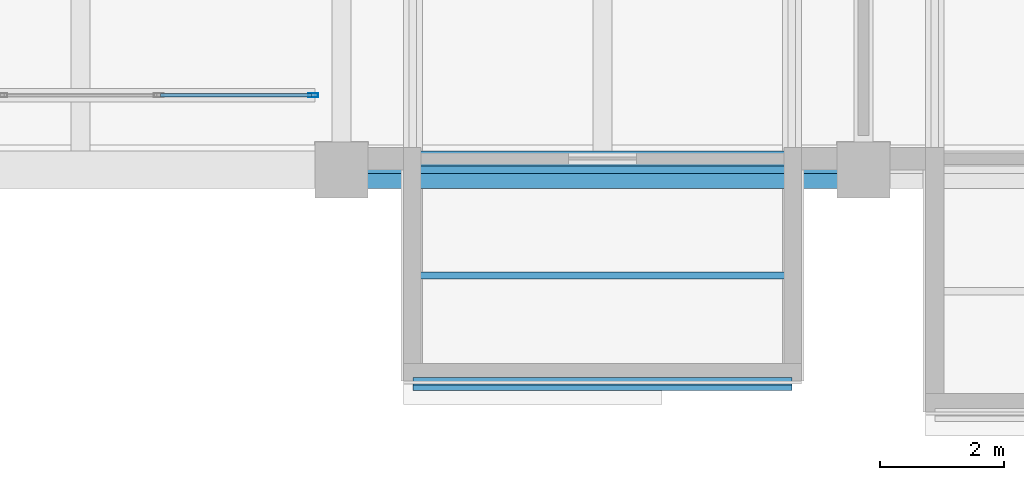
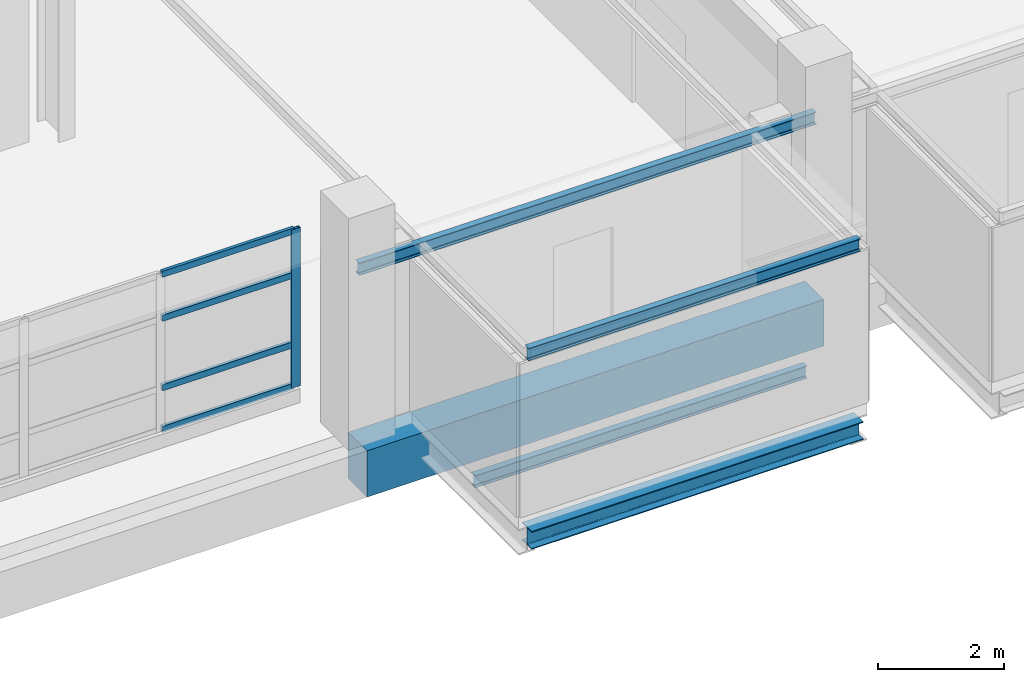
# One storey, part 19 of 113: 5 beams, 5 members, 1 element without a shape of its own.
"""IFC4 building model written with IfcOpenShell, lengths in metres."""

from ifc_helpers import new_model, si_unit, direction, frame, origin, origin_2d, place, context, subcontext, project, spatial, rectangle, hollow_rectangle, i_section, extrude, material, material_profile, profile_set, type_object, element, aggregate, save


model = new_model("IFC4")

# Units and contexts
model_context = context("Model", 3, precision=1e-05, world=origin(), true_north=direction((0.0, 1.0)))
body_context = subcontext(model_context, "Body", "Model", "MODEL_VIEW")
ifc_project = project(units=[si_unit("LENGTHUNIT", "METRE"), si_unit("AREAUNIT", "SQUARE_METRE"), si_unit("VOLUMEUNIT", "CUBIC_METRE"), si_unit("PLANEANGLEUNIT", "RADIAN"), si_unit("MASSUNIT", "GRAM", prefix="KILO")], contexts=[model_context])

# Site, building, storey
site_placement = place(None, origin())
site = spatial("IfcSite", under=ifc_project, at=site_placement, CompositionType="ELEMENT")
building_placement = place(site_placement, origin())
building = spatial("IfcBuilding", under=site, at=building_placement, Name="Veltarok Museum of Natural Sciences", CompositionType="ELEMENT")
storey_placement = place(building_placement, frame((0.0, 0.0, 8.39990234375)))
storey = spatial("IfcBuildingStorey", under=building, at=storey_placement, Name="L01", CompositionType="ELEMENT", Elevation=8.39990234375)

# Beams
ifc_material_1 = material(Name="Steel S355J2", Category="steel")
ifc_material_profile_1 = material_profile(ifc_material_1, i_section(OverallWidth=0.1201171875, OverallDepth=0.239990234375, WebThickness=0.006103515625, FlangeThickness=0.009765625, FilletRadius=0.014892578125, at=origin_2d()), Name="IPE 240")
ifc_profile_set_1 = profile_set([ifc_material_profile_1], Name="Steel S355J2")
beam_type_1 = type_object("IfcBeamType", Name="Cabinet Box Secondary Joist IPE 240", PredefinedType="JOIST", material=ifc_profile_set_1)
beam_1_placement = place(storey_placement, frame((65.199951171875, 0.0, 3.130126953125), z_axis=(1.0, 0.0, 0.0), x_axis=(0.0, 1.0, 0.0)))
element("IfcBeam", 1, at=beam_1_placement, inside=storey, type_object=beam_type_1, Name="Cabinet Roof Tie Beam DB-03-P", PredefinedType="JOIST", context=body_context, shape_type="SweptSolid", body=[
    extrude(i_section(OverallWidth=0.1201171875, OverallDepth=0.239990234375, WebThickness=0.006103515625, FlangeThickness=0.009765625, FilletRadius=0.014892578125, at=origin_2d()), origin(), (0.0, 0.0, 1.0), 8.400146484375),
])
for number, where, z_axis, x_axis, name in (
    (2, (66.35009765625, -3.39990234375, 3.130126953125), (1.0, 0.0, 0.0), (0.0, 1.0, 0.0), "Cabinet Roof Tip Header DB-03"),
    (3, (66.35009765625, -1.699951171875, -0.369873046875), (1.0, 0.0, 0.0), (0.0, 1.0, 0.0), "Cabinet Box Joist DB-03"),
):
    element("IfcBeam", number, at=place(storey_placement, frame(where, z_axis=z_axis, x_axis=x_axis)), inside=storey, type_object=beam_type_1, Name=name, PredefinedType="JOIST", context=body_context, shape_type="SweptSolid", body=[
        extrude(i_section(OverallWidth=0.1201171875, OverallDepth=0.239990234375, WebThickness=0.006103515625, FlangeThickness=0.009765625, FilletRadius=0.014892578125, at=origin_2d()), origin(), (0.0, 0.0, 1.0), 6.099853515625),
    ])
ifc_material_profile_2 = material_profile(ifc_material_1, i_section(OverallWidth=0.300048828125, OverallDepth=0.35009765625, WebThickness=0.010009765625, FlangeThickness=0.017578125, FilletRadius=0.027099609375, at=origin_2d()), Name="HEA 360")
ifc_profile_set_2 = profile_set([ifc_material_profile_2], Name="Steel S355J2")
beam_type_2 = type_object("IfcBeamType", Name="Cabinet Box Tip Header HEA 360", PredefinedType="BEAM", material=ifc_profile_set_2)
beam_2_placement = place(storey_placement, frame((66.35009765625, -3.39990234375, -0.4248046875), z_axis=(1.0, 0.0, 0.0), x_axis=(0.0, 1.0, 0.0)))
element("IfcBeam", 4, at=beam_2_placement, inside=storey, type_object=beam_type_2, Name="Cabinet Tip Header DB-03", PredefinedType="BEAM", context=body_context, shape_type="SweptSolid", body=[
    extrude(i_section(OverallWidth=0.300048828125, OverallDepth=0.35009765625, WebThickness=0.010009765625, FlangeThickness=0.017578125, FilletRadius=0.027099609375, at=origin_2d()), origin(), (0.0, 0.0, 1.0), 6.099853515625),
])

# Curtain wall, members
ifc_material_2 = material(Name="Low-iron triple insulated glass", Category="glass")
curtain_wall_type = type_object("IfcCurtainWallType", Name="Curtain Wall System CW-CAB-L01-B-755x307 (V1 Recessed L01 755x307cm)", PredefinedType="NOTDEFINED", material=ifc_material_2)
curtain_wall_placement = place(storey_placement, origin())
curtain_wall = element("IfcCurtainWall", 5, at=curtain_wall_placement, inside=storey, type_object=curtain_wall_type, Name="Curtain Wall CW-CAB-L01-B-755x307 CW-0001", PredefinedType="NOTDEFINED")
ifc_material_3 = material(Name="Thermally broken anodised aluminium", Category="aluminium")
ifc_material_profile_3 = material_profile(ifc_material_3, hollow_rectangle(XDim=0.06005859375, YDim=0.1201171875, WallThickness=0.0048828125, at=origin_2d()), Name="CW TRANSOM 60x120x5")
ifc_profile_set_3 = profile_set([ifc_material_profile_3], Name="Thermally broken anodised aluminium")
member_type_1 = type_object("IfcMemberType", Name="Curtain Wall Horizontal Transom 60x120x5", PredefinedType="USERDEFINED", material=ifc_profile_set_3)
member_1_placement = place(storey_placement, frame((62.288330078125, 1.199951171875, 0.2900390625), z_axis=(1.0, 0.0, 0.0), x_axis=(0.0, 1.0, 0.0)))
member_1 = element("IfcMember", 6, at=member_1_placement, type_object=member_type_1, Name="CW-CAB-L01-B-755x307 transom 3.1", ObjectType="TRANSOM", PredefinedType="USERDEFINED", context=body_context, shape_type="SweptSolid", body=[
    extrude(hollow_rectangle(XDim=0.06005859375, YDim=0.1201171875, WallThickness=0.0048828125, at=origin_2d()), origin(), (0.0, 0.0, 1.0), 2.4267578125),
])
member_2_placement = place(storey_placement, frame((62.288330078125, 1.199951171875, 1.10009765625), z_axis=(1.0, 0.0, 0.0), x_axis=(0.0, 1.0, 0.0)))
member_2 = element("IfcMember", 7, at=member_2_placement, type_object=member_type_1, Name="CW-CAB-L01-B-755x307 transom 3.2", ObjectType="TRANSOM", PredefinedType="USERDEFINED", context=body_context, shape_type="SweptSolid", body=[
    extrude(hollow_rectangle(XDim=0.06005859375, YDim=0.1201171875, WallThickness=0.0048828125, at=origin_2d()), origin(), (0.0, 0.0, 1.0), 2.4267578125),
])
member_3_placement = place(storey_placement, frame((62.288330078125, 1.199951171875, 2.4501953125), z_axis=(1.0, 0.0, 0.0), x_axis=(0.0, 1.0, 0.0)))
member_3 = element("IfcMember", 8, at=member_3_placement, type_object=member_type_1, Name="CW-CAB-L01-B-755x307 transom 3.3", ObjectType="TRANSOM", PredefinedType="USERDEFINED", context=body_context, shape_type="SweptSolid", body=[
    extrude(hollow_rectangle(XDim=0.06005859375, YDim=0.1201171875, WallThickness=0.0048828125, at=origin_2d()), origin(), (0.0, 0.0, 1.0), 2.4267578125),
])
member_4_placement = place(storey_placement, frame((62.288330078125, 1.199951171875, 3.30517578125), z_axis=(1.0, 0.0, 0.0), x_axis=(0.0, 1.0, 0.0)))
member_4 = element("IfcMember", 9, at=member_4_placement, type_object=member_type_1, Name="CW-CAB-L01-B-755x307 transom 3.4", ObjectType="TRANSOM", PredefinedType="USERDEFINED", context=body_context, shape_type="SweptSolid", body=[
    extrude(hollow_rectangle(XDim=0.06005859375, YDim=0.1201171875, WallThickness=0.0048828125, at=origin_2d()), origin(), (0.0, 0.0, 1.0), 2.4267578125),
])
ifc_material_profile_4 = material_profile(ifc_material_3, hollow_rectangle(XDim=0.06005859375, YDim=0.159912109375, WallThickness=0.0048828125, at=origin_2d()), Name="CW MULLION 60x160x5")
ifc_profile_set_4 = profile_set([ifc_material_profile_4], Name="Thermally broken anodised aluminium")
member_type_2 = type_object("IfcMemberType", Name="Curtain Wall Vertical Mullion 60x160x5", PredefinedType="MULLION", material=ifc_profile_set_4)
member_5_placement = place(storey_placement, frame((64.7451171875, 1.199951171875, 0.260009765625), z_axis=(0.0, 0.0, 1.0), x_axis=(0.0, 1.0, 0.0)))
member_5 = element("IfcMember", 10, at=member_5_placement, type_object=member_type_2, Name="CW-CAB-L01-B-755x307 mullion 4", PredefinedType="MULLION", context=body_context, shape_type="SweptSolid", body=[
    extrude(hollow_rectangle(XDim=0.06005859375, YDim=0.159912109375, WallThickness=0.0048828125, at=origin_2d()), origin(), (0.0, 0.0, 1.0), 3.0751953125),
])
aggregate(curtain_wall, [member_5, member_1, member_2, member_3, member_4])

# Beam
ifc_material_4 = material(Name="Concrete C40/50", Category="concrete")
ifc_material_profile_5 = material_profile(ifc_material_4, rectangle(XDim=0.60009765625, YDim=0.89990234375, at=origin_2d()), Name="RC 600x900")
ifc_profile_set_5 = profile_set([ifc_material_profile_5], Name="Concrete C40/50")
beam_type_3 = type_object("IfcBeamType", Name="Exposed Cabinet Perimeter Spandrel RC 600x900", PredefinedType="SPANDREL", material=ifc_profile_set_5)
beam_3_placement = place(storey_placement, frame((65.199951171875, 0.0, -0.699951171875), z_axis=(1.0, 0.0, 0.0), x_axis=(0.0, 1.0, 0.0)))
element("IfcBeam", 11, at=beam_3_placement, inside=storey, type_object=beam_type_3, Name="Beam BM-SP01 L01 8-9/A", PredefinedType="SPANDREL", context=body_context, shape_type="SweptSolid", body=[
    extrude(rectangle(XDim=0.60009765625, YDim=0.89990234375, at=origin_2d()), origin(), (0.0, 0.0, 1.0), 8.400146484375),
])

save(model, "model.ifc")
